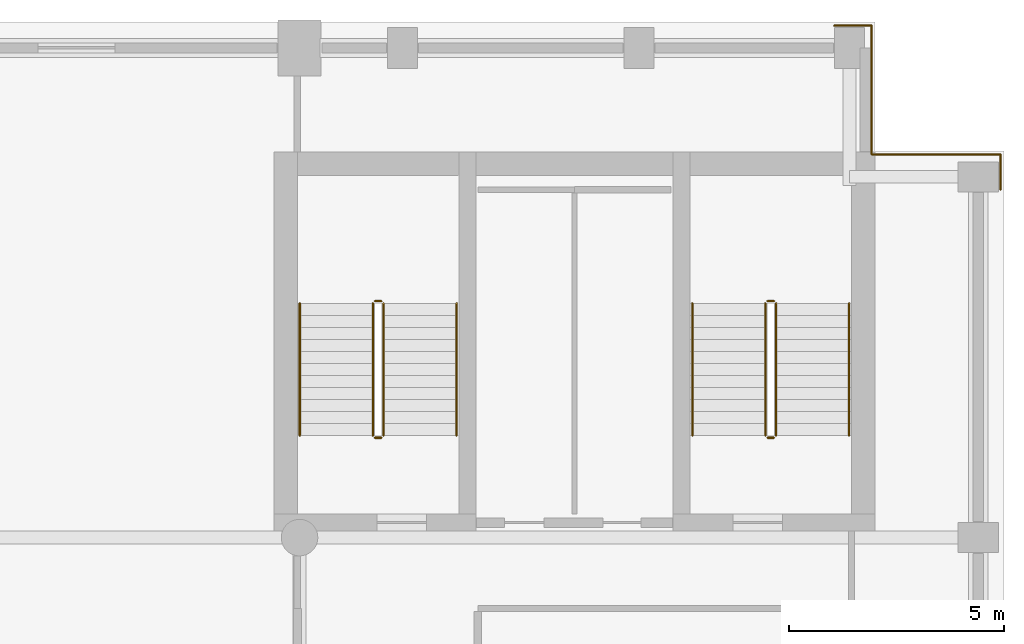
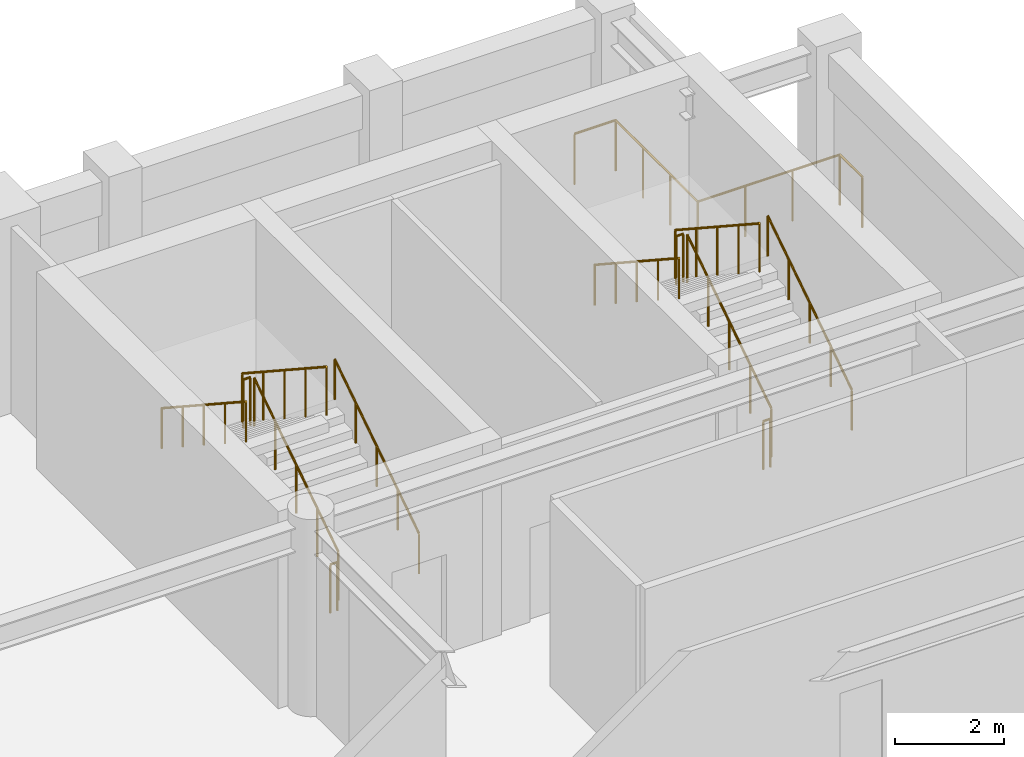
# One storey, part 13 of 13: 16 railings.
"""IFC4 building model written with IfcOpenShell, lengths in metres."""

from ifc_helpers import new_model, si_unit, direction, frame, origin, origin_2d, place, context, subcontext, project, spatial, circle, extrude, material, type_object, element, save


model = new_model("IFC4")

# Units and contexts
model_context = context("Model", 3, precision=1e-05, world=origin(), true_north=direction((0.0, 1.0)))
body_context = subcontext(model_context, "Body", "Model", "MODEL_VIEW")
ifc_project = project(units=[si_unit("LENGTHUNIT", "METRE"), si_unit("AREAUNIT", "SQUARE_METRE"), si_unit("VOLUMEUNIT", "CUBIC_METRE"), si_unit("PLANEANGLEUNIT", "RADIAN"), si_unit("MASSUNIT", "GRAM", prefix="KILO")], contexts=[model_context])

# Site, building, storey
site_placement = place(None, origin())
site = spatial("IfcSite", under=ifc_project, at=site_placement, CompositionType="ELEMENT")
building_placement = place(site_placement, origin())
building = spatial("IfcBuilding", under=site, at=building_placement, Name="Sulina Concourse Tower", CompositionType="ELEMENT")
storey_placement = place(building_placement, frame((0.0, 0.0, 280.60009765625)))
storey = spatial("IfcBuildingStorey", under=building, at=storey_placement, Name="L68", CompositionType="ELEMENT", Elevation=280.60009765625)

# Railings
ifc_material_1 = material(Name="Galvanised steel railing", Category="steel")
railing_type_1 = type_object("IfcRailingType", Name="Core Stair Steel Guardrail 1150mm", PredefinedType="GUARDRAIL", material=ifc_material_1)
railing_1_placement = place(storey_placement, frame((54.050048828125, 45.919921875, 0.0)))
element("IfcRailing", 1, at=railing_1_placement, inside=storey, type_object=railing_type_1, Name="L68 perimeter edge safety guardrail NE1", PredefinedType="GUARDRAIL", context=body_context, shape_type="SweptSolid", body=[
    extrude(circle(Radius=0.02392578125, at=origin_2d()), frame((0.0, 0.0, 1.1259765625), z_axis=(1.0, 0.0, 0.0), x_axis=(0.0, 1.0, 0.0)), (0.0, 0.0, 1.0), 0.869873046875),
    extrude(circle(Radius=0.02099609375, at=origin_2d()), origin(), (0.0, 0.0, 1.0), 1.101806640625),
    extrude(circle(Radius=0.02099609375, at=origin_2d()), frame((0.869873046875, 0.0, 0.0)), (0.0, 0.0, 1.0), 1.101806640625),
])
railing_2_placement = place(storey_placement, frame((54.919921875, 45.919921875, 0.0)))
element("IfcRailing", 2, at=railing_2_placement, inside=storey, type_object=railing_type_1, Name="L68 perimeter edge safety guardrail NE2", PredefinedType="GUARDRAIL", context=body_context, shape_type="SweptSolid", body=[
    extrude(circle(Radius=0.02392578125, at=origin_2d()), frame((0.0, 0.0, 1.1259765625), z_axis=(0.0, -1.0, 0.0), x_axis=(1.0, 0.0, 0.0)), (0.0, 0.0, 1.0), 3.0),
    extrude(circle(Radius=0.02099609375, at=origin_2d()), origin(), (0.0, 0.0, 1.0), 1.101806640625),
    extrude(circle(Radius=0.02099609375, at=origin_2d()), frame((0.0, -1.0, 0.0)), (0.0, 0.0, 1.0), 1.101806640625),
    extrude(circle(Radius=0.02099609375, at=origin_2d()), frame((0.0, -2.0, 0.0)), (0.0, 0.0, 1.0), 1.101806640625),
    extrude(circle(Radius=0.02099609375, at=origin_2d()), frame((0.0, -3.0, 0.0)), (0.0, 0.0, 1.0), 1.101806640625),
])
railing_3_placement = place(storey_placement, frame((54.919921875, 42.919921875, 0.0)))
element("IfcRailing", 3, at=railing_3_placement, inside=storey, type_object=railing_type_1, Name="L68 perimeter edge safety guardrail NE3", PredefinedType="GUARDRAIL", context=body_context, shape_type="SweptSolid", body=[
    extrude(circle(Radius=0.02392578125, at=origin_2d()), frame((0.0, 0.0, 1.1259765625), z_axis=(1.0, 0.0, 0.0), x_axis=(0.0, 1.0, 0.0)), (0.0, 0.0, 1.0), 3.0),
    extrude(circle(Radius=0.02099609375, at=origin_2d()), origin(), (0.0, 0.0, 1.0), 1.101806640625),
    extrude(circle(Radius=0.02099609375, at=origin_2d()), frame((1.0, 0.0, 0.0)), (0.0, 0.0, 1.0), 1.101806640625),
    extrude(circle(Radius=0.02099609375, at=origin_2d()), frame((2.0, 0.0, 0.0)), (0.0, 0.0, 1.0), 1.101806640625),
    extrude(circle(Radius=0.02099609375, at=origin_2d()), frame((3.0, 0.0, 0.0)), (0.0, 0.0, 1.0), 1.101806640625),
])
railing_4_placement = place(storey_placement, frame((57.919921875, 42.919921875, 0.0)))
element("IfcRailing", 4, at=railing_4_placement, inside=storey, type_object=railing_type_1, Name="L68 perimeter edge safety guardrail NE4", PredefinedType="GUARDRAIL", context=body_context, shape_type="SweptSolid", body=[
    extrude(circle(Radius=0.02392578125, at=origin_2d()), frame((0.0, 0.0, 1.1259765625), z_axis=(0.0, -1.0, 0.0), x_axis=(1.0, 0.0, 0.0)), (0.0, 0.0, 1.0), 0.81982421875),
    extrude(circle(Radius=0.02099609375, at=origin_2d()), origin(), (0.0, 0.0, 1.0), 1.101806640625),
    extrude(circle(Radius=0.02099609375, at=origin_2d()), frame((0.0, -0.81982421875, 0.0)), (0.0, 0.0, 1.0), 1.101806640625),
])
railing_5_placement = place(storey_placement, frame((43.554931640625, 36.375, 0.183349609375)))
element("IfcRailing", 5, at=railing_5_placement, inside=storey, type_object=railing_type_1, Name="L68 ST-3 stair guard 1", PredefinedType="GUARDRAIL", context=body_context, shape_type="SweptSolid", body=[
    extrude(circle(Radius=0.02392578125, at=origin_2d()), frame((0.0, 0.0, 1.076171875), z_axis=(0.0, 0.836633000464, 0.547763838287), x_axis=(-1.0, 0.0, 0.0)), (0.0, 0.0, 1.0), 3.681396484375),
    extrude(circle(Radius=0.02099609375, at=origin_2d()), origin(), (0.0, 0.0, 1.0), 1.052001953125),
    extrude(circle(Radius=0.02099609375, at=origin_2d()), frame((0.0, 0.77001953125, 0.504150390625)), (0.0, 0.0, 1.0), 1.052001953125),
    extrude(circle(Radius=0.02099609375, at=origin_2d()), frame((0.0, 1.5400390625, 1.00830078125)), (0.0, 0.0, 1.0), 1.052001953125),
    extrude(circle(Radius=0.02099609375, at=origin_2d()), frame((0.0, 2.31005859375, 1.512451171875)), (0.0, 0.0, 1.0), 1.052001953125),
    extrude(circle(Radius=0.02099609375, at=origin_2d()), frame((0.0, 3.080078125, 2.0166015625)), (0.0, 0.0, 1.0), 1.052001953125),
])
railing_6_placement = place(storey_placement, frame((43.5048828125, 39.5048828125, 2.199951171875)))
element("IfcRailing", 6, at=railing_6_placement, inside=storey, type_object=railing_type_1, Name="L68 ST-3 stair guard 2", PredefinedType="GUARDRAIL", context=body_context, shape_type="SweptSolid", body=[
    extrude(circle(Radius=0.02392578125, at=origin_2d()), frame((0.0, 0.0, 1.076171875), z_axis=(-1.0, 0.0, 0.0), x_axis=(0.0, -1.0, 0.0)), (0.0, 0.0, 1.0), 0.14990234375),
    extrude(circle(Radius=0.02099609375, at=origin_2d()), origin(), (0.0, 0.0, 1.0), 1.052001953125),
    extrude(circle(Radius=0.02099609375, at=origin_2d()), frame((-0.14990234375, 0.0, 0.0)), (0.0, 0.0, 1.0), 1.052001953125),
])
railing_7_placement = place(storey_placement, frame((43.304931640625, 39.455078125, 2.38330078125)))
element("IfcRailing", 7, at=railing_7_placement, inside=storey, type_object=railing_type_1, Name="L68 ST-3 stair guard 3", PredefinedType="GUARDRAIL", context=body_context, shape_type="SweptSolid", body=[
    extrude(circle(Radius=0.02392578125, at=origin_2d()), frame((0.0, 0.0, 1.076171875), z_axis=(0.0, -0.836633000464, 0.547763838287), x_axis=(1.0, 0.0, 0.0)), (0.0, 0.0, 1.0), 3.681396484375),
    extrude(circle(Radius=0.02099609375, at=origin_2d()), origin(), (0.0, 0.0, 1.0), 1.052001953125),
    extrude(circle(Radius=0.02099609375, at=origin_2d()), frame((0.0, -0.77001953125, 0.504150390625)), (0.0, 0.0, 1.0), 1.052001953125),
    extrude(circle(Radius=0.02099609375, at=origin_2d()), frame((0.0, -1.5400390625, 1.00830078125)), (0.0, 0.0, 1.0), 1.052001953125),
    extrude(circle(Radius=0.02099609375, at=origin_2d()), frame((0.0, -2.31005859375, 1.512451171875)), (0.0, 0.0, 1.0), 1.052001953125),
    extrude(circle(Radius=0.02099609375, at=origin_2d()), frame((0.0, -3.080078125, 2.0166015625)), (0.0, 0.0, 1.0), 1.052001953125),
])
railing_8_placement = place(storey_placement, frame((43.5048828125, 36.324951171875, 0.0)))
element("IfcRailing", 8, at=railing_8_placement, inside=storey, type_object=railing_type_1, Name="L68 ST-3 stair guard 4", PredefinedType="GUARDRAIL", context=body_context, shape_type="SweptSolid", body=[
    extrude(circle(Radius=0.02392578125, at=origin_2d()), frame((0.0, 0.0, 1.076171875), z_axis=(-1.0, 0.0, 0.0), x_axis=(0.0, -1.0, 0.0)), (0.0, 0.0, 1.0), 0.14990234375),
    extrude(circle(Radius=0.02099609375, at=origin_2d()), origin(), (0.0, 0.0, 1.0), 1.052001953125),
    extrude(circle(Radius=0.02099609375, at=origin_2d()), frame((-0.14990234375, 0.0, 0.0)), (0.0, 0.0, 1.0), 1.052001953125),
])
railing_9_placement = place(storey_placement, frame((52.695068359375, 36.375, 0.183349609375)))
element("IfcRailing", 9, at=railing_9_placement, inside=storey, type_object=railing_type_1, Name="L68 ST-4 stair guard 1", PredefinedType="GUARDRAIL", context=body_context, shape_type="SweptSolid", body=[
    extrude(circle(Radius=0.02392578125, at=origin_2d()), frame((0.0, 0.0, 1.076171875), z_axis=(0.0, 0.836633000464, 0.547763838287), x_axis=(-1.0, 0.0, 0.0)), (0.0, 0.0, 1.0), 3.681396484375),
    extrude(circle(Radius=0.02099609375, at=origin_2d()), origin(), (0.0, 0.0, 1.0), 1.052001953125),
    extrude(circle(Radius=0.02099609375, at=origin_2d()), frame((0.0, 0.77001953125, 0.504150390625)), (0.0, 0.0, 1.0), 1.052001953125),
    extrude(circle(Radius=0.02099609375, at=origin_2d()), frame((0.0, 1.5400390625, 1.00830078125)), (0.0, 0.0, 1.0), 1.052001953125),
    extrude(circle(Radius=0.02099609375, at=origin_2d()), frame((0.0, 2.31005859375, 1.512451171875)), (0.0, 0.0, 1.0), 1.052001953125),
    extrude(circle(Radius=0.02099609375, at=origin_2d()), frame((0.0, 3.080078125, 2.0166015625)), (0.0, 0.0, 1.0), 1.052001953125),
])
railing_10_placement = place(storey_placement, frame((52.64501953125, 39.5048828125, 2.199951171875)))
element("IfcRailing", 10, at=railing_10_placement, inside=storey, type_object=railing_type_1, Name="L68 ST-4 stair guard 2", PredefinedType="GUARDRAIL", context=body_context, shape_type="SweptSolid", body=[
    extrude(circle(Radius=0.02392578125, at=origin_2d()), frame((0.0, 0.0, 1.076171875), z_axis=(-1.0, 0.0, 0.0), x_axis=(0.0, -1.0, 0.0)), (0.0, 0.0, 1.0), 0.14990234375),
    extrude(circle(Radius=0.02099609375, at=origin_2d()), origin(), (0.0, 0.0, 1.0), 1.052001953125),
    extrude(circle(Radius=0.02099609375, at=origin_2d()), frame((-0.14990234375, 0.0, 0.0)), (0.0, 0.0, 1.0), 1.052001953125),
])
railing_11_placement = place(storey_placement, frame((52.445068359375, 39.455078125, 2.38330078125)))
element("IfcRailing", 11, at=railing_11_placement, inside=storey, type_object=railing_type_1, Name="L68 ST-4 stair guard 3", PredefinedType="GUARDRAIL", context=body_context, shape_type="SweptSolid", body=[
    extrude(circle(Radius=0.02392578125, at=origin_2d()), frame((0.0, 0.0, 1.076171875), z_axis=(0.0, -0.836633000464, 0.547763838287), x_axis=(1.0, 0.0, 0.0)), (0.0, 0.0, 1.0), 3.681396484375),
    extrude(circle(Radius=0.02099609375, at=origin_2d()), origin(), (0.0, 0.0, 1.0), 1.052001953125),
    extrude(circle(Radius=0.02099609375, at=origin_2d()), frame((0.0, -0.77001953125, 0.504150390625)), (0.0, 0.0, 1.0), 1.052001953125),
    extrude(circle(Radius=0.02099609375, at=origin_2d()), frame((0.0, -1.5400390625, 1.00830078125)), (0.0, 0.0, 1.0), 1.052001953125),
    extrude(circle(Radius=0.02099609375, at=origin_2d()), frame((0.0, -2.31005859375, 1.512451171875)), (0.0, 0.0, 1.0), 1.052001953125),
    extrude(circle(Radius=0.02099609375, at=origin_2d()), frame((0.0, -3.080078125, 2.0166015625)), (0.0, 0.0, 1.0), 1.052001953125),
])
railing_12_placement = place(storey_placement, frame((52.64501953125, 36.324951171875, 0.0)))
element("IfcRailing", 12, at=railing_12_placement, inside=storey, type_object=railing_type_1, Name="L68 ST-4 stair guard 4", PredefinedType="GUARDRAIL", context=body_context, shape_type="SweptSolid", body=[
    extrude(circle(Radius=0.02392578125, at=origin_2d()), frame((0.0, 0.0, 1.076171875), z_axis=(-1.0, 0.0, 0.0), x_axis=(0.0, -1.0, 0.0)), (0.0, 0.0, 1.0), 0.14990234375),
    extrude(circle(Radius=0.02099609375, at=origin_2d()), origin(), (0.0, 0.0, 1.0), 1.052001953125),
    extrude(circle(Radius=0.02099609375, at=origin_2d()), frame((-0.14990234375, 0.0, 0.0)), (0.0, 0.0, 1.0), 1.052001953125),
])
ifc_material_2 = material(Name="Galvanised steel railing", Category="steel")
railing_type_2 = type_object("IfcRailingType", Name="Stair Wall Steel Handrail 920mm", PredefinedType="HANDRAIL", material=ifc_material_2)
railing_13_placement = place(storey_placement, frame((45.2548828125, 36.375, 0.183349609375)))
element("IfcRailing", 13, at=railing_13_placement, inside=storey, type_object=railing_type_2, Name="L68 ST-3 stair handrail 1", PredefinedType="HANDRAIL", context=body_context, shape_type="SweptSolid", body=[
    extrude(circle(Radius=0.02392578125, at=origin_2d()), frame((0.0, 0.0, 0.89599609375), z_axis=(0.0, 0.836633000464, 0.547763838287), x_axis=(-1.0, 0.0, 0.0)), (0.0, 0.0, 1.0), 3.681396484375),
    extrude(circle(Radius=0.02099609375, at=origin_2d()), origin(), (0.0, 0.0, 1.0), 0.871826171875),
    extrude(circle(Radius=0.02099609375, at=origin_2d()), frame((0.0, 0.77001953125, 0.504150390625)), (0.0, 0.0, 1.0), 0.871826171875),
    extrude(circle(Radius=0.02099609375, at=origin_2d()), frame((0.0, 1.5400390625, 1.00830078125)), (0.0, 0.0, 1.0), 0.871826171875),
    extrude(circle(Radius=0.02099609375, at=origin_2d()), frame((0.0, 2.31005859375, 1.512451171875)), (0.0, 0.0, 1.0), 0.871826171875),
    extrude(circle(Radius=0.02099609375, at=origin_2d()), frame((0.0, 3.080078125, 2.0166015625)), (0.0, 0.0, 1.0), 0.871826171875),
])
railing_14_placement = place(storey_placement, frame((41.60498046875, 39.455078125, 2.38330078125)))
element("IfcRailing", 14, at=railing_14_placement, inside=storey, type_object=railing_type_2, Name="L68 ST-3 stair handrail 2", PredefinedType="HANDRAIL", context=body_context, shape_type="SweptSolid", body=[
    extrude(circle(Radius=0.02392578125, at=origin_2d()), frame((0.0, 0.0, 0.89599609375), z_axis=(0.0, -0.836633000464, 0.547763838287), x_axis=(1.0, 0.0, 0.0)), (0.0, 0.0, 1.0), 3.681396484375),
    extrude(circle(Radius=0.02099609375, at=origin_2d()), origin(), (0.0, 0.0, 1.0), 0.871826171875),
    extrude(circle(Radius=0.02099609375, at=origin_2d()), frame((0.0, -0.77001953125, 0.504150390625)), (0.0, 0.0, 1.0), 0.871826171875),
    extrude(circle(Radius=0.02099609375, at=origin_2d()), frame((0.0, -1.5400390625, 1.00830078125)), (0.0, 0.0, 1.0), 0.871826171875),
    extrude(circle(Radius=0.02099609375, at=origin_2d()), frame((0.0, -2.31005859375, 1.512451171875)), (0.0, 0.0, 1.0), 0.871826171875),
    extrude(circle(Radius=0.02099609375, at=origin_2d()), frame((0.0, -3.080078125, 2.0166015625)), (0.0, 0.0, 1.0), 0.871826171875),
])
railing_15_placement = place(storey_placement, frame((54.39501953125, 36.375, 0.183349609375)))
element("IfcRailing", 15, at=railing_15_placement, inside=storey, type_object=railing_type_2, Name="L68 ST-4 stair handrail 1", PredefinedType="HANDRAIL", context=body_context, shape_type="SweptSolid", body=[
    extrude(circle(Radius=0.02392578125, at=origin_2d()), frame((0.0, 0.0, 0.89599609375), z_axis=(0.0, 0.836633000464, 0.547763838287), x_axis=(-1.0, 0.0, 0.0)), (0.0, 0.0, 1.0), 3.681396484375),
    extrude(circle(Radius=0.02099609375, at=origin_2d()), origin(), (0.0, 0.0, 1.0), 0.871826171875),
    extrude(circle(Radius=0.02099609375, at=origin_2d()), frame((0.0, 0.77001953125, 0.504150390625)), (0.0, 0.0, 1.0), 0.871826171875),
    extrude(circle(Radius=0.02099609375, at=origin_2d()), frame((0.0, 1.5400390625, 1.00830078125)), (0.0, 0.0, 1.0), 0.871826171875),
    extrude(circle(Radius=0.02099609375, at=origin_2d()), frame((0.0, 2.31005859375, 1.512451171875)), (0.0, 0.0, 1.0), 0.871826171875),
    extrude(circle(Radius=0.02099609375, at=origin_2d()), frame((0.0, 3.080078125, 2.0166015625)), (0.0, 0.0, 1.0), 0.871826171875),
])
railing_16_placement = place(storey_placement, frame((50.7451171875, 39.455078125, 2.38330078125)))
element("IfcRailing", 16, at=railing_16_placement, inside=storey, type_object=railing_type_2, Name="L68 ST-4 stair handrail 2", PredefinedType="HANDRAIL", context=body_context, shape_type="SweptSolid", body=[
    extrude(circle(Radius=0.02392578125, at=origin_2d()), frame((0.0, 0.0, 0.89599609375), z_axis=(0.0, -0.836633000464, 0.547763838287), x_axis=(1.0, 0.0, 0.0)), (0.0, 0.0, 1.0), 3.681396484375),
    extrude(circle(Radius=0.02099609375, at=origin_2d()), origin(), (0.0, 0.0, 1.0), 0.871826171875),
    extrude(circle(Radius=0.02099609375, at=origin_2d()), frame((0.0, -0.77001953125, 0.504150390625)), (0.0, 0.0, 1.0), 0.871826171875),
    extrude(circle(Radius=0.02099609375, at=origin_2d()), frame((0.0, -1.5400390625, 1.00830078125)), (0.0, 0.0, 1.0), 0.871826171875),
    extrude(circle(Radius=0.02099609375, at=origin_2d()), frame((0.0, -2.31005859375, 1.512451171875)), (0.0, 0.0, 1.0), 0.871826171875),
    extrude(circle(Radius=0.02099609375, at=origin_2d()), frame((0.0, -3.080078125, 2.0166015625)), (0.0, 0.0, 1.0), 0.871826171875),
])

save(model, "model.ifc")
